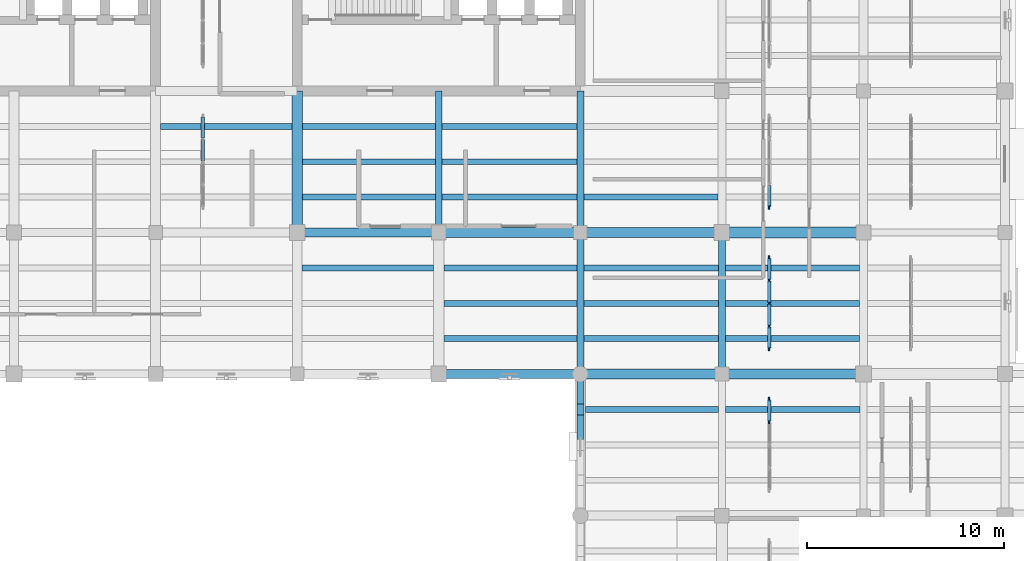
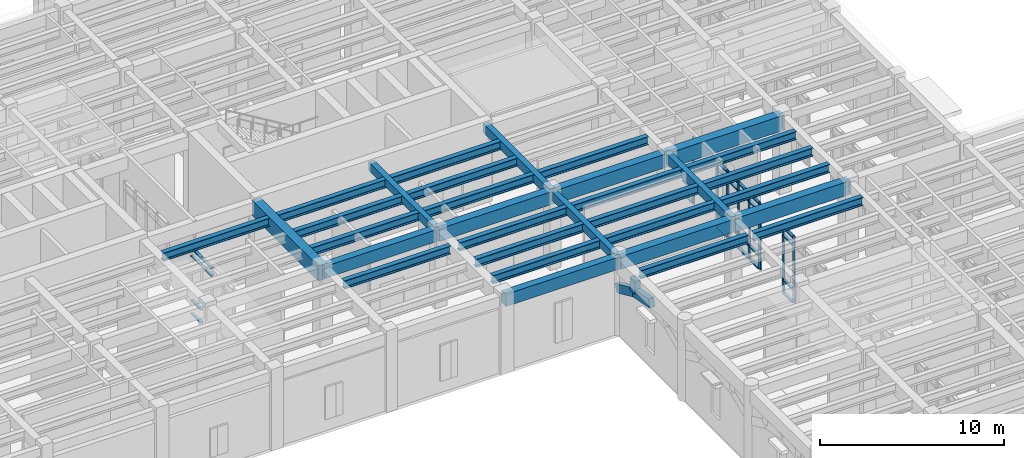
# One storey, part 42 of 100: 39 members, 32 beams, 4 elements without a shape of their own.
"""IFC4 building model written with IfcOpenShell, lengths in metres."""

from ifc_helpers import new_model, si_unit, direction, frame, origin, origin_2d, place, context, subcontext, project, spatial, rectangle, i_section, extrude, material, material_profile, profile_set, type_object, element, aggregate, save


model = new_model("IFC4")

# Units and contexts
model_context = context("Model", 3, precision=1e-05, world=origin(), true_north=direction((0.0, 1.0)))
body_context = subcontext(model_context, "Body", "Model", "MODEL_VIEW")
ifc_project = project(units=[si_unit("LENGTHUNIT", "METRE"), si_unit("AREAUNIT", "SQUARE_METRE"), si_unit("VOLUMEUNIT", "CUBIC_METRE"), si_unit("PLANEANGLEUNIT", "RADIAN"), si_unit("MASSUNIT", "GRAM", prefix="KILO")], contexts=[model_context])

# Site, building, storey
site_placement = place(None, origin())
site = spatial("IfcSite", under=ifc_project, at=site_placement, CompositionType="ELEMENT")
building_placement = place(site_placement, origin())
building = spatial("IfcBuilding", under=site, at=building_placement, Name="Mithqara Police Headquarters", CompositionType="ELEMENT")
storey_placement = place(building_placement, origin())
storey = spatial("IfcBuildingStorey", under=building, at=storey_placement, Name="L00", CompositionType="ELEMENT", Elevation=0.0)

# Members
ifc_material_1 = material(Name="Concrete C50/60", Category="concrete")
ifc_material_profile_1 = material_profile(ifc_material_1, rectangle(XDim=0.35009765625, YDim=0.550048828125, at=origin_2d()), Name="ARC 350x550")
ifc_profile_set_1 = profile_set([ifc_material_profile_1], Name="Concrete C50/60")
member_type_1 = type_object("IfcMemberType", Name="ARCH SEG 350X550", PredefinedType="STRUT", material=ifc_profile_set_1)
member_1_placement = place(storey_placement, frame((144.60009765625, 75.0, 4.10009765625), z_axis=(0.0, 0.982930996603, -0.183974606715), x_axis=(-1.0, 0.0, 0.0)))
element("IfcMember", 1, at=member_1_placement, inside=storey, type_object=member_type_1, Name="East Courtyard Cloister Bay 6 Ottoman Arch Chord 3", PredefinedType="STRUT", context=body_context, shape_type="SweptSolid", body=[
    extrude(rectangle(XDim=0.35009765625, YDim=0.550048828125, at=origin_2d()), origin(), (0.0, 0.0, 1.0), 1.831298828125),
])
member_2_placement = place(storey_placement, frame((144.60009765625, 76.800048828125, 3.76318359375), z_axis=(0.0, 0.911312261811, -0.411715874691), x_axis=(-1.0, 0.0, 0.0)))
element("IfcMember", 2, at=member_2_placement, inside=storey, type_object=member_type_1, Name="East Courtyard Cloister Bay 6 Ottoman Arch Chord 4", PredefinedType="STRUT", context=body_context, shape_type="SweptSolid", body=[
    extrude(rectangle(XDim=0.35009765625, YDim=0.550048828125, at=origin_2d()), origin(), (0.0, 0.0, 1.0), 1.975341796875),
])
member_3_placement = place(storey_placement, frame((144.60009765625, 76.800048828125, 3.76318359375), z_axis=(0.0, 0.0, 1.0), x_axis=(1.0, 0.0, 0.0)))
element("IfcMember", 3, at=member_3_placement, inside=storey, type_object=member_type_1, Name="East Courtyard Cloister Bay 6 Arch Spandrel Post 3", PredefinedType="STRUT", context=body_context, shape_type="SweptSolid", body=[
    extrude(rectangle(XDim=0.35009765625, YDim=0.550048828125, at=origin_2d()), origin(), (0.0, 0.0, 1.0), 0.85693359375),
])

# Beams
ifc_material_2 = material(Name="Steel S355JR", Category="steel")
ifc_material_profile_2 = material_profile(ifc_material_2, i_section(OverallWidth=0.300048828125, OverallDepth=0.550048828125, WebThickness=0.014892578125, FlangeThickness=0.029052734375, FilletRadius=0.027099609375, at=origin_2d()), Name="HEB 550")
ifc_profile_set_2 = profile_set([ifc_material_profile_2], Name="Steel S355JR")
beam_type_1 = type_object("IfcBeamType", Name="BEAM HEB550", PredefinedType="BEAM", material=ifc_profile_set_2)
for number, where, z_axis, x_axis, name in (
    (4, (123.25, 91.199951171875, 4.844970703125), (1.0, 0.0, 0.0), (0.0, 1.0, 0.0), "L00 Composite Steel Joist 18-19/N.3"),
    (5, (130.449951171875, 84.0, 4.844970703125), (1.0, 0.0, 0.0), (0.0, 1.0, 0.0), "L00 Composite Steel Joist 19-20/M.3"),
):
    element("IfcBeam", number, at=place(storey_placement, frame(where, z_axis=z_axis, x_axis=x_axis)), inside=storey, type_object=beam_type_1, Name=name, PredefinedType="BEAM", context=body_context, shape_type="SweptSolid", body=[
        extrude(i_section(OverallWidth=0.300048828125, OverallDepth=0.550048828125, WebThickness=0.014892578125, FlangeThickness=0.029052734375, FilletRadius=0.027099609375, at=origin_2d()), origin(), (0.0, 0.0, 1.0), 6.675048828125),
    ])
for number, where, z_axis, x_axis, name in (
    (6, (130.47509765625, 87.60009765625, 4.844970703125), (1.0, 0.0, 0.0), (0.0, 1.0, 0.0), "L00 Composite Steel Joist 19-20/N.1"),
    (7, (130.47509765625, 89.39990234375, 4.844970703125), (1.0, 0.0, 0.0), (0.0, 1.0, 0.0), "L00 Composite Steel Joist 19-20/N.2"),
    (8, (130.47509765625, 91.199951171875, 4.844970703125), (1.0, 0.0, 0.0), (0.0, 1.0, 0.0), "L00 Composite Steel Joist 19-20/N.3"),
    (9, (137.675048828125, 80.39990234375, 4.844970703125), (1.0, 0.0, 0.0), (0.0, 1.0, 0.0), "L00 Composite Steel Joist 20-21/M.1"),
    (10, (137.675048828125, 82.199951171875, 4.844970703125), (1.0, 0.0, 0.0), (0.0, 1.0, 0.0), "L00 Composite Steel Joist 20-21/M.2"),
    (11, (137.675048828125, 84.0, 4.844970703125), (1.0, 0.0, 0.0), (0.0, 1.0, 0.0), "L00 Composite Steel Joist 20-21/M.3"),
):
    element("IfcBeam", number, at=place(storey_placement, frame(where, z_axis=z_axis, x_axis=x_axis)), inside=storey, type_object=beam_type_1, Name=name, PredefinedType="BEAM", context=body_context, shape_type="SweptSolid", body=[
        extrude(i_section(OverallWidth=0.300048828125, OverallDepth=0.550048828125, WebThickness=0.014892578125, FlangeThickness=0.029052734375, FilletRadius=0.027099609375, at=origin_2d()), origin(), (0.0, 0.0, 1.0), 6.75),
    ])
for number, where, z_axis, x_axis, name in (
    (12, (137.574951171875, 87.60009765625, 4.844970703125), (1.0, 0.0, 0.0), (0.0, 1.0, 0.0), "L00 Composite Steel Joist 20-21/N.1"),
    (13, (137.574951171875, 89.39990234375, 4.844970703125), (1.0, 0.0, 0.0), (0.0, 1.0, 0.0), "L00 Composite Steel Joist 20-21/N.2"),
    (14, (137.574951171875, 91.199951171875, 4.844970703125), (1.0, 0.0, 0.0), (0.0, 1.0, 0.0), "L00 Composite Steel Joist 20-21/N.3"),
):
    element("IfcBeam", number, at=place(storey_placement, frame(where, z_axis=z_axis, x_axis=x_axis)), inside=storey, type_object=beam_type_1, Name=name, PredefinedType="BEAM", context=body_context, shape_type="SweptSolid", body=[
        extrude(i_section(OverallWidth=0.300048828125, OverallDepth=0.550048828125, WebThickness=0.014892578125, FlangeThickness=0.029052734375, FilletRadius=0.027099609375, at=origin_2d()), origin(), (0.0, 0.0, 1.0), 6.85009765625),
    ])
beam_1_placement = place(storey_placement, frame((144.875, 76.800048828125, 4.844970703125), z_axis=(1.0, 0.0, 0.0), x_axis=(0.0, 1.0, 0.0)))
element("IfcBeam", 15, at=beam_1_placement, inside=storey, type_object=beam_type_1, Name="L00 Composite Steel Joist 21-22/L.3", PredefinedType="BEAM", context=body_context, shape_type="SweptSolid", body=[
    extrude(i_section(OverallWidth=0.300048828125, OverallDepth=0.550048828125, WebThickness=0.014892578125, FlangeThickness=0.029052734375, FilletRadius=0.027099609375, at=origin_2d()), origin(), (0.0, 0.0, 1.0), 6.75),
])
for number, where, z_axis, x_axis, name in (
    (16, (144.77490234375, 80.39990234375, 4.844970703125), (1.0, 0.0, 0.0), (0.0, 1.0, 0.0), "L00 Composite Steel Joist 21-22/M.1"),
    (17, (144.77490234375, 82.199951171875, 4.844970703125), (1.0, 0.0, 0.0), (0.0, 1.0, 0.0), "L00 Composite Steel Joist 21-22/M.2"),
    (18, (144.77490234375, 84.0, 4.844970703125), (1.0, 0.0, 0.0), (0.0, 1.0, 0.0), "L00 Composite Steel Joist 21-22/M.3"),
):
    element("IfcBeam", number, at=place(storey_placement, frame(where, z_axis=z_axis, x_axis=x_axis)), inside=storey, type_object=beam_type_1, Name=name, PredefinedType="BEAM", context=body_context, shape_type="SweptSolid", body=[
        extrude(i_section(OverallWidth=0.300048828125, OverallDepth=0.550048828125, WebThickness=0.014892578125, FlangeThickness=0.029052734375, FilletRadius=0.027099609375, at=origin_2d()), origin(), (0.0, 0.0, 1.0), 6.85009765625),
    ])
beam_2_placement = place(storey_placement, frame((144.77490234375, 87.60009765625, 4.844970703125), z_axis=(1.0, 0.0, 0.0), x_axis=(0.0, 1.0, 0.0)))
element("IfcBeam", 19, at=beam_2_placement, inside=storey, type_object=beam_type_1, Name="L00 Composite Steel Joist 21-22/N.1", PredefinedType="BEAM", context=body_context, shape_type="SweptSolid", body=[
    extrude(i_section(OverallWidth=0.300048828125, OverallDepth=0.550048828125, WebThickness=0.014892578125, FlangeThickness=0.029052734375, FilletRadius=0.027099609375, at=origin_2d()), origin(), (0.0, 0.0, 1.0), 6.8251953125),
])
beam_3_placement = place(storey_placement, frame((151.97509765625, 76.800048828125, 4.844970703125), z_axis=(1.0, 0.0, 0.0), x_axis=(0.0, 1.0, 0.0)))
element("IfcBeam", 20, at=beam_3_placement, inside=storey, type_object=beam_type_1, Name="L00 Composite Steel Joist 22-23/L.3", PredefinedType="BEAM", context=body_context, shape_type="SweptSolid", body=[
    extrude(i_section(OverallWidth=0.300048828125, OverallDepth=0.550048828125, WebThickness=0.014892578125, FlangeThickness=0.029052734375, FilletRadius=0.027099609375, at=origin_2d()), origin(), (0.0, 0.0, 1.0), 6.849853515625),
])
for number, where, z_axis, x_axis, name in (
    (21, (151.97509765625, 80.39990234375, 4.844970703125), (1.0, 0.0, 0.0), (0.0, 1.0, 0.0), "L00 Composite Steel Joist 22-23/M.1"),
    (22, (151.97509765625, 82.199951171875, 4.844970703125), (1.0, 0.0, 0.0), (0.0, 1.0, 0.0), "L00 Composite Steel Joist 22-23/M.2"),
    (23, (151.97509765625, 84.0, 4.844970703125), (1.0, 0.0, 0.0), (0.0, 1.0, 0.0), "L00 Composite Steel Joist 22-23/M.3"),
):
    element("IfcBeam", number, at=place(storey_placement, frame(where, z_axis=z_axis, x_axis=x_axis)), inside=storey, type_object=beam_type_1, Name=name, PredefinedType="BEAM", context=body_context, shape_type="SweptSolid", body=[
        extrude(i_section(OverallWidth=0.300048828125, OverallDepth=0.550048828125, WebThickness=0.014892578125, FlangeThickness=0.029052734375, FilletRadius=0.027099609375, at=origin_2d()), origin(), (0.0, 0.0, 1.0), 6.824951171875),
    ])
ifc_material_3 = material(Name="Concrete C40/50", Category="concrete")
ifc_material_profile_3 = material_profile(ifc_material_3, rectangle(XDim=0.35009765625, YDim=0.550048828125, at=origin_2d()), Name="RC 350x550")
ifc_profile_set_3 = profile_set([ifc_material_profile_3], Name="Concrete C40/50")
beam_type_2 = type_object("IfcBeamType", Name="BEAM RC350X550", PredefinedType="BEAM", material=ifc_profile_set_3)
for number, where, z_axis, x_axis, name in (
    (24, (137.39990234375, 85.800048828125, 4.844970703125), (0.0, 1.0, 0.0), (-1.0, 0.0, 0.0), "L00 Girder 20/N-P"),
    (25, (144.60009765625, 78.60009765625, 4.844970703125), (0.0, 1.0, 0.0), (-1.0, 0.0, 0.0), "L00 Girder 21/M-N"),
):
    element("IfcBeam", number, at=place(storey_placement, frame(where, z_axis=z_axis, x_axis=x_axis)), inside=storey, type_object=beam_type_2, Name=name, PredefinedType="BEAM", context=body_context, shape_type="SweptSolid", body=[
        extrude(rectangle(XDim=0.35009765625, YDim=0.550048828125, at=origin_2d()), origin(), (0.0, 0.0, 1.0), 7.199951171875),
    ])
ifc_material_profile_4 = material_profile(ifc_material_3, rectangle(XDim=0.35009765625, YDim=0.60009765625, at=origin_2d()), Name="RC 350x600")
ifc_profile_set_4 = profile_set([ifc_material_profile_4], Name="Concrete C40/50")
beam_type_3 = type_object("IfcBeamType", Name="BEAM RC350X600", PredefinedType="BEAM", material=ifc_profile_set_4)
for number, where, z_axis, x_axis, name in (
    (26, (144.60009765625, 85.800048828125, 4.820068359375), (0.0, 1.0, 0.0), (-1.0, 0.0, 0.0), "L00 Girder 21/N-P"),
    (27, (151.800048828125, 78.60009765625, 4.820068359375), (0.0, 1.0, 0.0), (-1.0, 0.0, 0.0), "L00 Girder 22/M-N"),
):
    element("IfcBeam", number, at=place(storey_placement, frame(where, z_axis=z_axis, x_axis=x_axis)), inside=storey, type_object=beam_type_3, Name=name, PredefinedType="BEAM", context=body_context, shape_type="SweptSolid", body=[
        extrude(rectangle(XDim=0.35009765625, YDim=0.60009765625, at=origin_2d()), origin(), (0.0, 0.0, 1.0), 7.199951171875),
    ])
ifc_material_profile_5 = material_profile(ifc_material_3, rectangle(XDim=0.449951171875, YDim=0.800048828125, at=origin_2d()), Name="RC 450x800")
ifc_profile_set_5 = profile_set([ifc_material_profile_5], Name="Concrete C40/50")
beam_type_4 = type_object("IfcBeamType", Name="BEAM RC450X800", PredefinedType="BEAM", material=ifc_profile_set_5)
beam_4_placement = place(storey_placement, frame((130.199951171875, 85.800048828125, 4.719970703125), z_axis=(1.0, 0.0, 0.0), x_axis=(0.0, 1.0, 0.0)))
element("IfcBeam", 28, at=beam_4_placement, inside=storey, type_object=beam_type_4, Name="L00 Girder 19-20/N", PredefinedType="BEAM", context=body_context, shape_type="SweptSolid", body=[
    extrude(rectangle(XDim=0.449951171875, YDim=0.800048828125, at=origin_2d()), origin(), (0.0, 0.0, 1.0), 7.199951171875),
])
beam_5_placement = place(storey_placement, frame((137.39990234375, 78.60009765625, 4.719970703125), z_axis=(1.0, 0.0, 0.0), x_axis=(0.0, 1.0, 0.0)))
element("IfcBeam", 29, at=beam_5_placement, inside=storey, type_object=beam_type_4, Name="L00 Girder 20-21/M", PredefinedType="BEAM", context=body_context, shape_type="SweptSolid", body=[
    extrude(rectangle(XDim=0.449951171875, YDim=0.800048828125, at=origin_2d()), origin(), (0.0, 0.0, 1.0), 7.2001953125),
])
ifc_material_profile_6 = material_profile(ifc_material_3, rectangle(XDim=0.5, YDim=0.85009765625, at=origin_2d()), Name="RC 500x850")
ifc_profile_set_6 = profile_set([ifc_material_profile_6], Name="Concrete C40/50")
beam_type_5 = type_object("IfcBeamType", Name="BEAM RC500X850", PredefinedType="BEAM", material=ifc_profile_set_6)
beam_6_placement = place(storey_placement, frame((137.39990234375, 85.800048828125, 4.695068359375), z_axis=(1.0, 0.0, 0.0), x_axis=(0.0, 1.0, 0.0)))
element("IfcBeam", 30, at=beam_6_placement, inside=storey, type_object=beam_type_5, Name="L00 Girder 20-21/N", PredefinedType="BEAM", context=body_context, shape_type="SweptSolid", body=[
    extrude(rectangle(XDim=0.5, YDim=0.85009765625, at=origin_2d()), origin(), (0.0, 0.0, 1.0), 7.2001953125),
])
beam_7_placement = place(storey_placement, frame((144.60009765625, 78.60009765625, 4.695068359375), z_axis=(1.0, 0.0, 0.0), x_axis=(0.0, 1.0, 0.0)))
element("IfcBeam", 31, at=beam_7_placement, inside=storey, type_object=beam_type_5, Name="L00 Girder 21-22/M", PredefinedType="BEAM", context=body_context, shape_type="SweptSolid", body=[
    extrude(rectangle(XDim=0.5, YDim=0.85009765625, at=origin_2d()), origin(), (0.0, 0.0, 1.0), 7.199951171875),
])
ifc_material_profile_7 = material_profile(ifc_material_1, rectangle(XDim=0.5, YDim=0.89990234375, at=origin_2d()), Name="RC 500x900")
ifc_profile_set_7 = profile_set([ifc_material_profile_7], Name="Concrete C50/60")
beam_type_6 = type_object("IfcBeamType", Name="BEAM RC500X900", PredefinedType="BEAM", material=ifc_profile_set_7)
for number, where, z_axis, x_axis, name in (
    (32, (144.60009765625, 85.800048828125, 4.669921875), (1.0, 0.0, 0.0), (0.0, 1.0, 0.0), "L00 Girder 21-22/N"),
    (33, (151.800048828125, 78.60009765625, 4.669921875), (1.0, 0.0, 0.0), (0.0, 1.0, 0.0), "L00 Girder 22-23/M"),
):
    element("IfcBeam", number, at=place(storey_placement, frame(where, z_axis=z_axis, x_axis=x_axis)), inside=storey, type_object=beam_type_6, Name=name, PredefinedType="BEAM", context=body_context, shape_type="SweptSolid", body=[
        extrude(rectangle(XDim=0.5, YDim=0.89990234375, at=origin_2d()), origin(), (0.0, 0.0, 1.0), 7.199951171875),
    ])
ifc_material_profile_8 = material_profile(ifc_material_1, rectangle(XDim=0.550048828125, YDim=1.0, at=origin_2d()), Name="RC 550x1000")
ifc_profile_set_8 = profile_set([ifc_material_profile_8], Name="Concrete C50/60")
beam_type_7 = type_object("IfcBeamType", Name="BEAM RC550X1000", PredefinedType="BEAM", material=ifc_profile_set_8)
for number, where, z_axis, x_axis, name in (
    (34, (130.199951171875, 85.800048828125, 4.6201171875), (0.0, 1.0, 0.0), (-1.0, 0.0, 0.0), "L00 Girder 19/N-P"),
    (35, (151.800048828125, 85.800048828125, 4.6201171875), (1.0, 0.0, 0.0), (0.0, 1.0, 0.0), "L00 Girder 22-23/N"),
):
    element("IfcBeam", number, at=place(storey_placement, frame(where, z_axis=z_axis, x_axis=x_axis)), inside=storey, type_object=beam_type_7, Name=name, PredefinedType="BEAM", context=body_context, shape_type="SweptSolid", body=[
        extrude(rectangle(XDim=0.550048828125, YDim=1.0, at=origin_2d()), origin(), (0.0, 0.0, 1.0), 7.199951171875),
    ])

# Curtain wall, members
ifc_material_4 = material(Name="Bronze anodised aluminium 6063-T6", Category="aluminium")
curtain_wall_type = type_object("IfcCurtainWallType", Name="CURTAIN WALL 4700X4400", PredefinedType="USERDEFINED", material=ifc_material_4)
curtain_wall_1_placement = place(storey_placement, origin())
curtain_wall_1 = element("IfcCurtainWall", 36, at=curtain_wall_1_placement, inside=storey, type_object=curtain_wall_type, Name="L00 Unitised Glazing CW-14 (CW-INT-L00-X21-Y10-0)", ObjectType="UNITISED GLAZING", PredefinedType="USERDEFINED")
ifc_material_profile_9 = material_profile(ifc_material_4, rectangle(XDim=0.074951171875, YDim=0.219970703125, at=origin_2d()), Name="CWM 75x220")
ifc_profile_set_9 = profile_set([ifc_material_profile_9], Name="Bronze anodised aluminium 6063-T6")
member_type_2 = type_object("IfcMemberType", Name="CWMULLION 75X220", PredefinedType="MULLION", material=ifc_profile_set_9)
member_4_placement = place(storey_placement, frame((154.199951171875, 76.175048828125, 0.0), z_axis=(0.0, 0.0, 1.0), x_axis=(-1.0, 0.0, 0.0)))
member_4 = element("IfcMember", 37, at=member_4_placement, type_object=member_type_2, Name="CW-14 mullion 4", PredefinedType="MULLION", context=body_context, shape_type="SweptSolid", body=[
    extrude(rectangle(XDim=0.074951171875, YDim=0.219970703125, at=origin_2d()), origin(), (0.0, 0.0, 1.0), 4.39990234375),
])
member_5_placement = place(storey_placement, frame((154.199951171875, 77.3125, 0.0), z_axis=(0.0, 0.0, 1.0), x_axis=(-1.0, 0.0, 0.0)))
member_5 = element("IfcMember", 38, at=member_5_placement, type_object=member_type_2, Name="CW-14 mullion 5", PredefinedType="MULLION", context=body_context, shape_type="SweptSolid", body=[
    extrude(rectangle(XDim=0.074951171875, YDim=0.219970703125, at=origin_2d()), origin(), (0.0, 0.0, 1.0), 4.39990234375),
])

curtain_wall_2_placement = place(storey_placement, origin())
curtain_wall_2 = element("IfcCurtainWall", 39, at=curtain_wall_2_placement, inside=storey, type_object=curtain_wall_type, Name="L00 Unitised Glazing CW-14 (CW-INT-L00-X21-Y11-0)", ObjectType="UNITISED GLAZING", PredefinedType="USERDEFINED")
member_6_placement = place(storey_placement, frame((154.199951171875, 79.887451171875, 0.0), z_axis=(0.0, 0.0, 1.0), x_axis=(-1.0, 0.0, 0.0)))
member_6 = element("IfcMember", 40, at=member_6_placement, type_object=member_type_2, Name="CW-14 mullion 1", PredefinedType="MULLION", context=body_context, shape_type="SweptSolid", body=[
    extrude(rectangle(XDim=0.074951171875, YDim=0.219970703125, at=origin_2d()), origin(), (0.0, 0.0, 1.0), 4.39990234375),
])
member_7_placement = place(storey_placement, frame((154.199951171875, 81.02490234375, 0.0), z_axis=(0.0, 0.0, 1.0), x_axis=(-1.0, 0.0, 0.0)))
member_7 = element("IfcMember", 41, at=member_7_placement, type_object=member_type_2, Name="CW-14 mullion 2", PredefinedType="MULLION", context=body_context, shape_type="SweptSolid", body=[
    extrude(rectangle(XDim=0.074951171875, YDim=0.219970703125, at=origin_2d()), origin(), (0.0, 0.0, 1.0), 4.39990234375),
])
member_8_placement = place(storey_placement, frame((154.199951171875, 82.199951171875, 0.0), z_axis=(0.0, 0.0, 1.0), x_axis=(-1.0, 0.0, 0.0)))
member_8 = element("IfcMember", 42, at=member_8_placement, type_object=member_type_2, Name="CW-14 mullion 3", PredefinedType="MULLION", context=body_context, shape_type="SweptSolid", body=[
    extrude(rectangle(XDim=0.074951171875, YDim=0.219970703125, at=origin_2d()), origin(), (0.0, 0.0, 1.0), 4.39990234375),
])
member_9_placement = place(storey_placement, frame((154.199951171875, 83.375, 0.0), z_axis=(0.0, 0.0, 1.0), x_axis=(-1.0, 0.0, 0.0)))
member_9 = element("IfcMember", 43, at=member_9_placement, type_object=member_type_2, Name="CW-14 mullion 4", PredefinedType="MULLION", context=body_context, shape_type="SweptSolid", body=[
    extrude(rectangle(XDim=0.074951171875, YDim=0.219970703125, at=origin_2d()), origin(), (0.0, 0.0, 1.0), 4.39990234375),
])
member_10_placement = place(storey_placement, frame((154.199951171875, 84.512451171875, 0.0), z_axis=(0.0, 0.0, 1.0), x_axis=(-1.0, 0.0, 0.0)))
member_10 = element("IfcMember", 44, at=member_10_placement, type_object=member_type_2, Name="CW-14 mullion 5", PredefinedType="MULLION", context=body_context, shape_type="SweptSolid", body=[
    extrude(rectangle(XDim=0.074951171875, YDim=0.219970703125, at=origin_2d()), origin(), (0.0, 0.0, 1.0), 4.39990234375),
])

# Curtain wall, member
curtain_wall_3_placement = place(storey_placement, origin())
curtain_wall_3 = element("IfcCurtainWall", 45, at=curtain_wall_3_placement, inside=storey, type_object=curtain_wall_type, Name="L00 Unitised Glazing CW-14 (CW-INT-L00-X21-Y12-0)", ObjectType="UNITISED GLAZING", PredefinedType="USERDEFINED")
member_11_placement = place(storey_placement, frame((154.199951171875, 87.08740234375, 0.0), z_axis=(0.0, 0.0, 1.0), x_axis=(-1.0, 0.0, 0.0)))
member_11 = element("IfcMember", 46, at=member_11_placement, type_object=member_type_2, Name="CW-14 mullion 1", PredefinedType="MULLION", context=body_context, shape_type="SweptSolid", body=[
    extrude(rectangle(XDim=0.074951171875, YDim=0.219970703125, at=origin_2d()), origin(), (0.0, 0.0, 1.0), 4.39990234375),
])

# Curtain wall, members
curtain_wall_4_placement = place(storey_placement, origin())
curtain_wall_4 = element("IfcCurtainWall", 47, at=curtain_wall_4_placement, inside=storey, type_object=curtain_wall_type, Name="L00 Unitised Glazing CW-14 (CW-INT-L00-X17-Y12-0)", ObjectType="UNITISED GLAZING", PredefinedType="USERDEFINED")
ifc_material_profile_10 = material_profile(ifc_material_4, rectangle(XDim=0.179931640625, YDim=0.074951171875, at=origin_2d()), Name="CWT 180x75")
ifc_profile_set_10 = profile_set([ifc_material_profile_10], Name="Bronze anodised aluminium 6063-T6")
member_type_3 = type_object("IfcMemberType", Name="CWTRANSOM 180X75", PredefinedType="USERDEFINED", material=ifc_profile_set_10)
member_12_placement = place(storey_placement, frame((125.39990234375, 89.4375, 3.85009765625), z_axis=(0.0, 1.0, 0.0), x_axis=(-1.0, 0.0, 0.0)))
member_12 = element("IfcMember", 48, at=member_12_placement, type_object=member_type_3, Name="CW-14 transom 3.3", ObjectType="TRANSOM", PredefinedType="USERDEFINED", context=body_context, shape_type="SweptSolid", body=[
    extrude(rectangle(XDim=0.179931640625, YDim=0.074951171875, at=origin_2d()), origin(), (0.0, 0.0, 1.0), 1.10009765625),
])
member_13_placement = place(storey_placement, frame((125.39990234375, 89.4375, 4.362548828125), z_axis=(0.0, 1.0, 0.0), x_axis=(-1.0, 0.0, 0.0)))
member_13 = element("IfcMember", 49, at=member_13_placement, type_object=member_type_3, Name="CW-14 transom 3.4", ObjectType="TRANSOM", PredefinedType="USERDEFINED", context=body_context, shape_type="SweptSolid", body=[
    extrude(rectangle(XDim=0.179931640625, YDim=0.074951171875, at=origin_2d()), origin(), (0.0, 0.0, 1.0), 1.10009765625),
])
member_14_placement = place(storey_placement, frame((125.39990234375, 90.612548828125, 0.03759765625), z_axis=(0.0, 1.0, 0.0), x_axis=(-1.0, 0.0, 0.0)))
member_14 = element("IfcMember", 50, at=member_14_placement, type_object=member_type_3, Name="CW-14 transom 4.1", ObjectType="TRANSOM", PredefinedType="USERDEFINED", context=body_context, shape_type="SweptSolid", body=[
    extrude(rectangle(XDim=0.179931640625, YDim=0.074951171875, at=origin_2d()), origin(), (0.0, 0.0, 1.0), 1.0625),
])
member_15_placement = place(storey_placement, frame((125.39990234375, 90.612548828125, 0.89990234375), z_axis=(0.0, 1.0, 0.0), x_axis=(-1.0, 0.0, 0.0)))
member_15 = element("IfcMember", 51, at=member_15_placement, type_object=member_type_3, Name="CW-14 transom 4.2", ObjectType="TRANSOM", PredefinedType="USERDEFINED", context=body_context, shape_type="SweptSolid", body=[
    extrude(rectangle(XDim=0.179931640625, YDim=0.074951171875, at=origin_2d()), origin(), (0.0, 0.0, 1.0), 1.0625),
])
member_16_placement = place(storey_placement, frame((125.39990234375, 90.612548828125, 3.85009765625), z_axis=(0.0, 1.0, 0.0), x_axis=(-1.0, 0.0, 0.0)))
member_16 = element("IfcMember", 52, at=member_16_placement, type_object=member_type_3, Name="CW-14 transom 4.3", ObjectType="TRANSOM", PredefinedType="USERDEFINED", context=body_context, shape_type="SweptSolid", body=[
    extrude(rectangle(XDim=0.179931640625, YDim=0.074951171875, at=origin_2d()), origin(), (0.0, 0.0, 1.0), 1.0625),
])
member_17_placement = place(storey_placement, frame((125.39990234375, 90.612548828125, 4.362548828125), z_axis=(0.0, 1.0, 0.0), x_axis=(-1.0, 0.0, 0.0)))
member_17 = element("IfcMember", 53, at=member_17_placement, type_object=member_type_3, Name="CW-14 transom 4.4", ObjectType="TRANSOM", PredefinedType="USERDEFINED", context=body_context, shape_type="SweptSolid", body=[
    extrude(rectangle(XDim=0.179931640625, YDim=0.074951171875, at=origin_2d()), origin(), (0.0, 0.0, 1.0), 1.0625),
])
aggregate(curtain_wall_4, [member_12, member_13, member_14, member_15, member_16, member_17])

# Member
member_18_placement = place(storey_placement, frame((154.199951171875, 76.21240234375, 0.03759765625), z_axis=(0.0, 1.0, 0.0), x_axis=(-1.0, 0.0, 0.0)))
member_18 = element("IfcMember", 54, at=member_18_placement, type_object=member_type_3, Name="CW-14 transom 4.1", ObjectType="TRANSOM", PredefinedType="USERDEFINED", context=body_context, shape_type="SweptSolid", body=[
    extrude(rectangle(XDim=0.179931640625, YDim=0.074951171875, at=origin_2d()), origin(), (0.0, 0.0, 1.0), 1.0625),
])

member_19_placement = place(storey_placement, frame((154.199951171875, 76.21240234375, 0.89990234375), z_axis=(0.0, 1.0, 0.0), x_axis=(-1.0, 0.0, 0.0)))
member_19 = element("IfcMember", 55, at=member_19_placement, type_object=member_type_3, Name="CW-14 transom 4.2", ObjectType="TRANSOM", PredefinedType="USERDEFINED", context=body_context, shape_type="SweptSolid", body=[
    extrude(rectangle(XDim=0.179931640625, YDim=0.074951171875, at=origin_2d()), origin(), (0.0, 0.0, 1.0), 1.0625),
])

member_20_placement = place(storey_placement, frame((154.199951171875, 76.21240234375, 3.85009765625), z_axis=(0.0, 1.0, 0.0), x_axis=(-1.0, 0.0, 0.0)))
member_20 = element("IfcMember", 56, at=member_20_placement, type_object=member_type_3, Name="CW-14 transom 4.3", ObjectType="TRANSOM", PredefinedType="USERDEFINED", context=body_context, shape_type="SweptSolid", body=[
    extrude(rectangle(XDim=0.179931640625, YDim=0.074951171875, at=origin_2d()), origin(), (0.0, 0.0, 1.0), 1.0625),
])

member_21_placement = place(storey_placement, frame((154.199951171875, 76.21240234375, 4.362548828125), z_axis=(0.0, 1.0, 0.0), x_axis=(-1.0, 0.0, 0.0)))
member_21 = element("IfcMember", 57, at=member_21_placement, type_object=member_type_3, Name="CW-14 transom 4.4", ObjectType="TRANSOM", PredefinedType="USERDEFINED", context=body_context, shape_type="SweptSolid", body=[
    extrude(rectangle(XDim=0.179931640625, YDim=0.074951171875, at=origin_2d()), origin(), (0.0, 0.0, 1.0), 1.0625),
])

aggregate(curtain_wall_1, [member_4, member_5, member_18, member_19, member_20, member_21])

member_22_placement = place(storey_placement, frame((154.199951171875, 79.925048828125, 0.03759765625), z_axis=(0.0, 1.0, 0.0), x_axis=(-1.0, 0.0, 0.0)))
member_22 = element("IfcMember", 58, at=member_22_placement, type_object=member_type_3, Name="CW-14 transom 1.1", ObjectType="TRANSOM", PredefinedType="USERDEFINED", context=body_context, shape_type="SweptSolid", body=[
    extrude(rectangle(XDim=0.179931640625, YDim=0.074951171875, at=origin_2d()), origin(), (0.0, 0.0, 1.0), 1.0625),
])

member_23_placement = place(storey_placement, frame((154.199951171875, 79.925048828125, 0.89990234375), z_axis=(0.0, 1.0, 0.0), x_axis=(-1.0, 0.0, 0.0)))
member_23 = element("IfcMember", 59, at=member_23_placement, type_object=member_type_3, Name="CW-14 transom 1.2", ObjectType="TRANSOM", PredefinedType="USERDEFINED", context=body_context, shape_type="SweptSolid", body=[
    extrude(rectangle(XDim=0.179931640625, YDim=0.074951171875, at=origin_2d()), origin(), (0.0, 0.0, 1.0), 1.0625),
])

member_24_placement = place(storey_placement, frame((154.199951171875, 79.925048828125, 3.85009765625), z_axis=(0.0, 1.0, 0.0), x_axis=(-1.0, 0.0, 0.0)))
member_24 = element("IfcMember", 60, at=member_24_placement, type_object=member_type_3, Name="CW-14 transom 1.3", ObjectType="TRANSOM", PredefinedType="USERDEFINED", context=body_context, shape_type="SweptSolid", body=[
    extrude(rectangle(XDim=0.179931640625, YDim=0.074951171875, at=origin_2d()), origin(), (0.0, 0.0, 1.0), 1.0625),
])

member_25_placement = place(storey_placement, frame((154.199951171875, 79.925048828125, 4.362548828125), z_axis=(0.0, 1.0, 0.0), x_axis=(-1.0, 0.0, 0.0)))
member_25 = element("IfcMember", 61, at=member_25_placement, type_object=member_type_3, Name="CW-14 transom 1.4", ObjectType="TRANSOM", PredefinedType="USERDEFINED", context=body_context, shape_type="SweptSolid", body=[
    extrude(rectangle(XDim=0.179931640625, YDim=0.074951171875, at=origin_2d()), origin(), (0.0, 0.0, 1.0), 1.0625),
])

member_26_placement = place(storey_placement, frame((154.199951171875, 81.0625, 0.03759765625), z_axis=(0.0, 1.0, 0.0), x_axis=(-1.0, 0.0, 0.0)))
member_26 = element("IfcMember", 62, at=member_26_placement, type_object=member_type_3, Name="CW-14 transom 2.1", ObjectType="TRANSOM", PredefinedType="USERDEFINED", context=body_context, shape_type="SweptSolid", body=[
    extrude(rectangle(XDim=0.179931640625, YDim=0.074951171875, at=origin_2d()), origin(), (0.0, 0.0, 1.0), 1.10009765625),
])

member_27_placement = place(storey_placement, frame((154.199951171875, 81.0625, 0.89990234375), z_axis=(0.0, 1.0, 0.0), x_axis=(-1.0, 0.0, 0.0)))
member_27 = element("IfcMember", 63, at=member_27_placement, type_object=member_type_3, Name="CW-14 transom 2.2", ObjectType="TRANSOM", PredefinedType="USERDEFINED", context=body_context, shape_type="SweptSolid", body=[
    extrude(rectangle(XDim=0.179931640625, YDim=0.074951171875, at=origin_2d()), origin(), (0.0, 0.0, 1.0), 1.10009765625),
])

member_28_placement = place(storey_placement, frame((154.199951171875, 81.0625, 3.85009765625), z_axis=(0.0, 1.0, 0.0), x_axis=(-1.0, 0.0, 0.0)))
member_28 = element("IfcMember", 64, at=member_28_placement, type_object=member_type_3, Name="CW-14 transom 2.3", ObjectType="TRANSOM", PredefinedType="USERDEFINED", context=body_context, shape_type="SweptSolid", body=[
    extrude(rectangle(XDim=0.179931640625, YDim=0.074951171875, at=origin_2d()), origin(), (0.0, 0.0, 1.0), 1.10009765625),
])

member_29_placement = place(storey_placement, frame((154.199951171875, 81.0625, 4.362548828125), z_axis=(0.0, 1.0, 0.0), x_axis=(-1.0, 0.0, 0.0)))
member_29 = element("IfcMember", 65, at=member_29_placement, type_object=member_type_3, Name="CW-14 transom 2.4", ObjectType="TRANSOM", PredefinedType="USERDEFINED", context=body_context, shape_type="SweptSolid", body=[
    extrude(rectangle(XDim=0.179931640625, YDim=0.074951171875, at=origin_2d()), origin(), (0.0, 0.0, 1.0), 1.10009765625),
])

member_30_placement = place(storey_placement, frame((154.199951171875, 82.237548828125, 0.03759765625), z_axis=(0.0, 1.0, 0.0), x_axis=(-1.0, 0.0, 0.0)))
member_30 = element("IfcMember", 66, at=member_30_placement, type_object=member_type_3, Name="CW-14 transom 3.1", ObjectType="TRANSOM", PredefinedType="USERDEFINED", context=body_context, shape_type="SweptSolid", body=[
    extrude(rectangle(XDim=0.179931640625, YDim=0.074951171875, at=origin_2d()), origin(), (0.0, 0.0, 1.0), 1.099853515625),
])

member_31_placement = place(storey_placement, frame((154.199951171875, 82.237548828125, 0.89990234375), z_axis=(0.0, 1.0, 0.0), x_axis=(-1.0, 0.0, 0.0)))
member_31 = element("IfcMember", 67, at=member_31_placement, type_object=member_type_3, Name="CW-14 transom 3.2", ObjectType="TRANSOM", PredefinedType="USERDEFINED", context=body_context, shape_type="SweptSolid", body=[
    extrude(rectangle(XDim=0.179931640625, YDim=0.074951171875, at=origin_2d()), origin(), (0.0, 0.0, 1.0), 1.099853515625),
])

member_32_placement = place(storey_placement, frame((154.199951171875, 82.237548828125, 3.85009765625), z_axis=(0.0, 1.0, 0.0), x_axis=(-1.0, 0.0, 0.0)))
member_32 = element("IfcMember", 68, at=member_32_placement, type_object=member_type_3, Name="CW-14 transom 3.3", ObjectType="TRANSOM", PredefinedType="USERDEFINED", context=body_context, shape_type="SweptSolid", body=[
    extrude(rectangle(XDim=0.179931640625, YDim=0.074951171875, at=origin_2d()), origin(), (0.0, 0.0, 1.0), 1.099853515625),
])

member_33_placement = place(storey_placement, frame((154.199951171875, 82.237548828125, 4.362548828125), z_axis=(0.0, 1.0, 0.0), x_axis=(-1.0, 0.0, 0.0)))
member_33 = element("IfcMember", 69, at=member_33_placement, type_object=member_type_3, Name="CW-14 transom 3.4", ObjectType="TRANSOM", PredefinedType="USERDEFINED", context=body_context, shape_type="SweptSolid", body=[
    extrude(rectangle(XDim=0.179931640625, YDim=0.074951171875, at=origin_2d()), origin(), (0.0, 0.0, 1.0), 1.099853515625),
])

member_34_placement = place(storey_placement, frame((154.199951171875, 83.41259765625, 0.03759765625), z_axis=(0.0, 1.0, 0.0), x_axis=(-1.0, 0.0, 0.0)))
member_34 = element("IfcMember", 70, at=member_34_placement, type_object=member_type_3, Name="CW-14 transom 4.1", ObjectType="TRANSOM", PredefinedType="USERDEFINED", context=body_context, shape_type="SweptSolid", body=[
    extrude(rectangle(XDim=0.179931640625, YDim=0.074951171875, at=origin_2d()), origin(), (0.0, 0.0, 1.0), 1.0625),
])

member_35_placement = place(storey_placement, frame((154.199951171875, 83.41259765625, 0.89990234375), z_axis=(0.0, 1.0, 0.0), x_axis=(-1.0, 0.0, 0.0)))
member_35 = element("IfcMember", 71, at=member_35_placement, type_object=member_type_3, Name="CW-14 transom 4.2", ObjectType="TRANSOM", PredefinedType="USERDEFINED", context=body_context, shape_type="SweptSolid", body=[
    extrude(rectangle(XDim=0.179931640625, YDim=0.074951171875, at=origin_2d()), origin(), (0.0, 0.0, 1.0), 1.0625),
])

member_36_placement = place(storey_placement, frame((154.199951171875, 83.41259765625, 3.85009765625), z_axis=(0.0, 1.0, 0.0), x_axis=(-1.0, 0.0, 0.0)))
member_36 = element("IfcMember", 72, at=member_36_placement, type_object=member_type_3, Name="CW-14 transom 4.3", ObjectType="TRANSOM", PredefinedType="USERDEFINED", context=body_context, shape_type="SweptSolid", body=[
    extrude(rectangle(XDim=0.179931640625, YDim=0.074951171875, at=origin_2d()), origin(), (0.0, 0.0, 1.0), 1.0625),
])

member_37_placement = place(storey_placement, frame((154.199951171875, 83.41259765625, 4.362548828125), z_axis=(0.0, 1.0, 0.0), x_axis=(-1.0, 0.0, 0.0)))
member_37 = element("IfcMember", 73, at=member_37_placement, type_object=member_type_3, Name="CW-14 transom 4.4", ObjectType="TRANSOM", PredefinedType="USERDEFINED", context=body_context, shape_type="SweptSolid", body=[
    extrude(rectangle(XDim=0.179931640625, YDim=0.074951171875, at=origin_2d()), origin(), (0.0, 0.0, 1.0), 1.0625),
])

aggregate(curtain_wall_2, [member_6, member_7, member_8, member_9, member_10, member_22, member_23, member_24, member_25, member_26, member_27, member_28, member_29, member_30, member_31, member_32, member_33, member_34, member_35, member_36, member_37])

member_38_placement = place(storey_placement, frame((154.199951171875, 87.125, 0.03759765625), z_axis=(0.0, 1.0, 0.0), x_axis=(-1.0, 0.0, 0.0)))
member_38 = element("IfcMember", 74, at=member_38_placement, type_object=member_type_3, Name="CW-14 transom 1.1", ObjectType="TRANSOM", PredefinedType="USERDEFINED", context=body_context, shape_type="SweptSolid", body=[
    extrude(rectangle(XDim=0.179931640625, YDim=0.074951171875, at=origin_2d()), origin(), (0.0, 0.0, 1.0), 1.0625),
])

member_39_placement = place(storey_placement, frame((154.199951171875, 87.125, 0.89990234375), z_axis=(0.0, 1.0, 0.0), x_axis=(-1.0, 0.0, 0.0)))
member_39 = element("IfcMember", 75, at=member_39_placement, type_object=member_type_3, Name="CW-14 transom 1.2", ObjectType="TRANSOM", PredefinedType="USERDEFINED", context=body_context, shape_type="SweptSolid", body=[
    extrude(rectangle(XDim=0.179931640625, YDim=0.074951171875, at=origin_2d()), origin(), (0.0, 0.0, 1.0), 1.0625),
])

aggregate(curtain_wall_3, [member_11, member_38, member_39])

save(model, "model.ifc")
